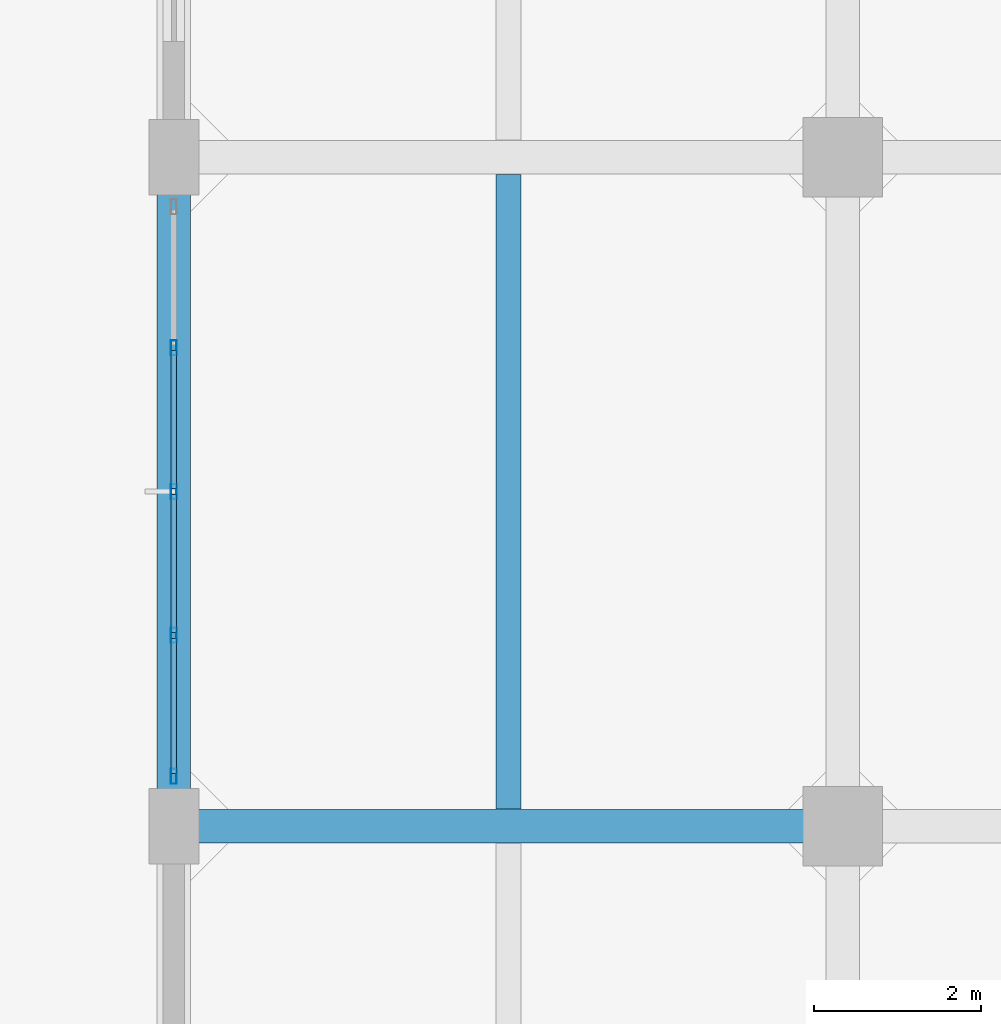
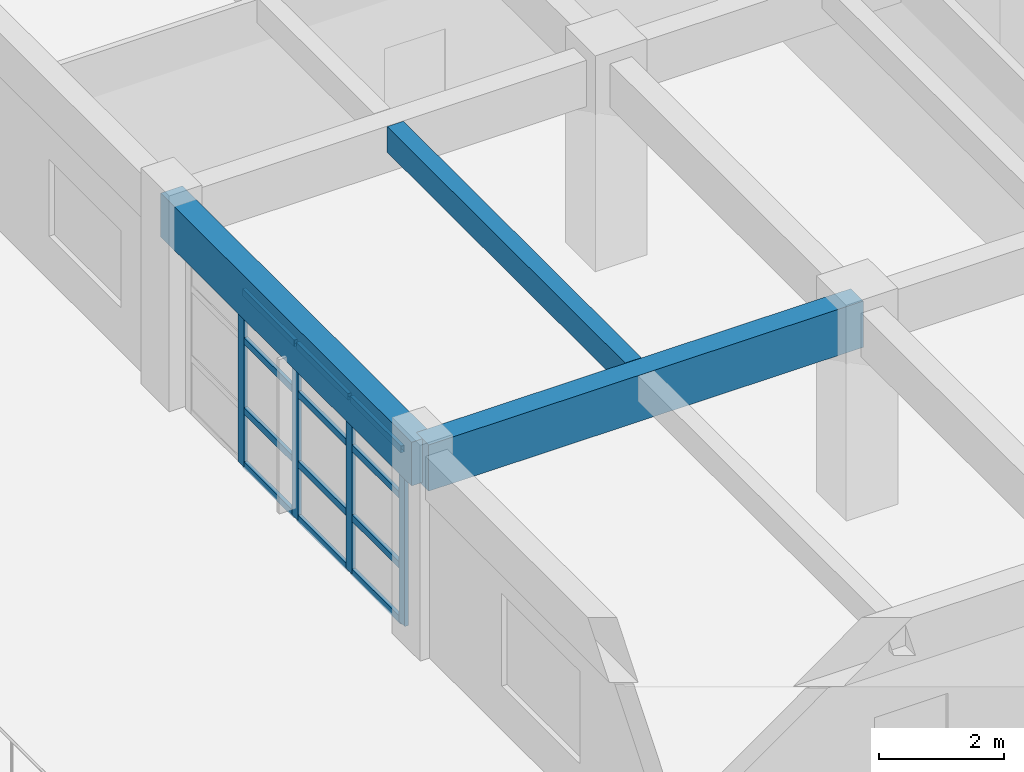
# One storey, part 4 of 35: 16 members, 3 beams, 1 element without a shape of its own.
"""IFC4 building model written with IfcOpenShell, lengths in metres."""

from ifc_helpers import new_model, si_unit, direction, frame, origin, origin_2d, place, context, subcontext, project, spatial, rectangle, hollow_rectangle, extrude, material, layer, layer_set, material_profile, profile_set, type_object, element, aggregate, save


model = new_model("IFC4")

# Units and contexts
model_context = context("Model", 3, precision=1e-05, world=origin(), true_north=direction((0.0, 1.0)))
body_context = subcontext(model_context, "Body", "Model", "MODEL_VIEW")
ifc_project = project(units=[si_unit("LENGTHUNIT", "METRE"), si_unit("AREAUNIT", "SQUARE_METRE"), si_unit("VOLUMEUNIT", "CUBIC_METRE"), si_unit("PLANEANGLEUNIT", "RADIAN"), si_unit("MASSUNIT", "GRAM", prefix="KILO")], contexts=[model_context])

# Site, building, storey
site_placement = place(None, origin())
site = spatial("IfcSite", under=ifc_project, at=site_placement, CompositionType="ELEMENT")
building_placement = place(site_placement, origin())
building = spatial("IfcBuilding", under=site, at=building_placement, Name="Canggui Botanical Conservatory", CompositionType="ELEMENT")
storey_placement = place(building_placement, frame((0.0, 0.0, 15.0)))
storey = spatial("IfcBuildingStorey", under=building, at=storey_placement, Name="L04", CompositionType="ELEMENT", Elevation=15.0)

# Beams
ifc_material_1 = material(Name="Concrete C35", Category="concrete")
ifc_material_profile_1 = material_profile(ifc_material_1, rectangle(XDim=0.300048828125, YDim=0.5, at=origin_2d()), Name="RB 300x500")
ifc_profile_set_1 = profile_set([ifc_material_profile_1], Name="Concrete C35")
beam_type_1 = type_object("IfcBeamType", Name="BM-JST02", PredefinedType="JOIST", material=ifc_profile_set_1)
beam_1_placement = place(storey_placement, frame((142.0, 42.205078125, 3.699951171875), z_axis=(0.0, 1.0, 0.0), x_axis=(-1.0, 0.0, 0.0)))
element("IfcBeam", 1, at=beam_1_placement, inside=storey, type_object=beam_type_1, Name="Secondary Floor Joist L04-1-3", PredefinedType="JOIST", context=body_context, shape_type="SweptSolid", body=[
    extrude(rectangle(XDim=0.300048828125, YDim=0.5, at=origin_2d()), origin(), (0.0, 0.0, 1.0), 7.58984375),
])
ifc_material_profile_2 = material_profile(ifc_material_1, rectangle(XDim=0.39990234375, YDim=0.89990234375, at=origin_2d()), Name="RB 400x900")
ifc_profile_set_2 = profile_set([ifc_material_profile_2], Name="Concrete C35")
beam_type_2 = type_object("IfcBeamType", Name="BM-KL07", PredefinedType="BEAM", material=ifc_profile_set_2)
beam_2_placement = place(storey_placement, frame((138.0, 42.0, 3.5), z_axis=(1.0, 0.0, 0.0), x_axis=(0.0, 1.0, 0.0)))
element("IfcBeam", 2, at=beam_2_placement, inside=storey, type_object=beam_type_2, Name="Frame Girder L04 Y42-1", PredefinedType="BEAM", context=body_context, shape_type="SweptSolid", body=[
    extrude(rectangle(XDim=0.39990234375, YDim=0.89990234375, at=origin_2d()), origin(), (0.0, 0.0, 1.0), 8.0),
])
ifc_material_profile_3 = material_profile(ifc_material_1, rectangle(XDim=0.39990234375, YDim=0.85009765625, at=origin_2d()), Name="RB 400x850")
ifc_profile_set_3 = profile_set([ifc_material_profile_3], Name="Concrete C35")
beam_type_3 = type_object("IfcBeamType", Name="BM-KL08", PredefinedType="BEAM", material=ifc_profile_set_3)
beam_3_placement = place(storey_placement, frame((138.0, 42.0, 3.52490234375), z_axis=(0.0, 1.0, 0.0), x_axis=(-1.0, 0.0, 0.0)))
element("IfcBeam", 3, at=beam_3_placement, inside=storey, type_object=beam_type_3, Name="Frame Girder L04 X138-3", PredefinedType="BEAM", context=body_context, shape_type="SweptSolid", body=[
    extrude(rectangle(XDim=0.39990234375, YDim=0.85009765625, at=origin_2d()), origin(), (0.0, 0.0, 1.0), 8.0),
])

# Curtain wall, members
ifc_material_2 = material(Name="Thermally Broken Aluminium", Category="aluminium")
ifc_layer = layer(ifc_material_2, 0.179931640625, Name="Thermally Broken Aluminium", Category="aluminium")
ifc_layer_set = layer_set([ifc_layer], Name="Thermally Broken Aluminium")
curtain_wall_type = type_object("IfcCurtainWallType", Name="CW-UNIT-A", PredefinedType="USERDEFINED", material=ifc_layer_set)
curtain_wall_placement = place(storey_placement, origin())
curtain_wall = element("IfcCurtainWall", 4, at=curtain_wall_placement, inside=storey, type_object=curtain_wall_type, Name="Facade Curtain Wall CW-TWR-L04-08", ObjectType="UNITISED CURTAIN WALL", PredefinedType="USERDEFINED")
ifc_material_profile_4 = material_profile(ifc_material_2, hollow_rectangle(XDim=0.070068359375, YDim=0.179931640625, WallThickness=0.00390625, at=origin_2d()), Name="CWM 70x180x4")
ifc_profile_set_4 = profile_set([ifc_material_profile_4], Name="Thermally Broken Aluminium")
member_type_1 = type_object("IfcMemberType", Name="CWM-01", PredefinedType="MULLION", material=ifc_profile_set_4)
member_1_placement = place(storey_placement, frame((138.0, 42.594970703125, 0.0), z_axis=(0.0, 0.0, 1.0), x_axis=(-1.0, 0.0, 0.0)))
member_1 = element("IfcMember", 5, at=member_1_placement, type_object=member_type_1, Name="CW-01 mullion 1", PredefinedType="MULLION", context=body_context, shape_type="SweptSolid", body=[
    extrude(hollow_rectangle(XDim=0.070068359375, YDim=0.179931640625, WallThickness=0.00390625, at=origin_2d()), origin(), (0.0, 0.0, 1.0), 3.39990234375),
])
member_2_placement = place(storey_placement, frame((138.0, 44.280029296875, 0.0), z_axis=(0.0, 0.0, 1.0), x_axis=(-1.0, 0.0, 0.0)))
member_2 = element("IfcMember", 6, at=member_2_placement, type_object=member_type_1, Name="CW-01 mullion 2", PredefinedType="MULLION", context=body_context, shape_type="SweptSolid", body=[
    extrude(hollow_rectangle(XDim=0.070068359375, YDim=0.179931640625, WallThickness=0.00390625, at=origin_2d()), origin(), (0.0, 0.0, 1.0), 3.39990234375),
])
member_3_placement = place(storey_placement, frame((138.0, 46.0, 0.0), z_axis=(0.0, 0.0, 1.0), x_axis=(-1.0, 0.0, 0.0)))
member_3 = element("IfcMember", 7, at=member_3_placement, type_object=member_type_1, Name="CW-01 mullion 3", PredefinedType="MULLION", context=body_context, shape_type="SweptSolid", body=[
    extrude(hollow_rectangle(XDim=0.070068359375, YDim=0.179931640625, WallThickness=0.00390625, at=origin_2d()), origin(), (0.0, 0.0, 1.0), 3.39990234375),
])
member_4_placement = place(storey_placement, frame((138.0, 47.719970703125, 0.0), z_axis=(0.0, 0.0, 1.0), x_axis=(-1.0, 0.0, 0.0)))
member_4 = element("IfcMember", 8, at=member_4_placement, type_object=member_type_1, Name="CW-01 mullion 4", PredefinedType="MULLION", context=body_context, shape_type="SweptSolid", body=[
    extrude(hollow_rectangle(XDim=0.070068359375, YDim=0.179931640625, WallThickness=0.00390625, at=origin_2d()), origin(), (0.0, 0.0, 1.0), 3.39990234375),
])
ifc_material_profile_5 = material_profile(ifc_material_2, hollow_rectangle(XDim=0.06494140625, YDim=0.1298828125, WallThickness=0.00341796875, at=origin_2d()), Name="CWT 65x130x3.5")
ifc_profile_set_5 = profile_set([ifc_material_profile_5], Name="Thermally Broken Aluminium")
member_type_2 = type_object("IfcMemberType", Name="CWT-01", PredefinedType="USERDEFINED", material=ifc_profile_set_5)
member_5_placement = place(storey_placement, frame((138.0, 42.6298828125, 0.032470703125), z_axis=(0.0, 1.0, 0.0), x_axis=(-1.0, 0.0, 0.0)))
member_5 = element("IfcMember", 9, at=member_5_placement, type_object=member_type_2, Name="CW-01 transom 1.1", ObjectType="TRANSOM", PredefinedType="USERDEFINED", context=body_context, shape_type="SweptSolid", body=[
    extrude(hollow_rectangle(XDim=0.06494140625, YDim=0.1298828125, WallThickness=0.00341796875, at=origin_2d()), origin(), (0.0, 0.0, 1.0), 1.615234375),
])
member_6_placement = place(storey_placement, frame((138.0, 42.6298828125, 1.087890625), z_axis=(0.0, 1.0, 0.0), x_axis=(-1.0, 0.0, 0.0)))
member_6 = element("IfcMember", 10, at=member_6_placement, type_object=member_type_2, Name="CW-01 transom 1.2", ObjectType="TRANSOM", PredefinedType="USERDEFINED", context=body_context, shape_type="SweptSolid", body=[
    extrude(hollow_rectangle(XDim=0.06494140625, YDim=0.1298828125, WallThickness=0.00341796875, at=origin_2d()), origin(), (0.0, 0.0, 1.0), 1.615234375),
])
member_7_placement = place(storey_placement, frame((138.0, 42.6298828125, 2.447998046875), z_axis=(0.0, 1.0, 0.0), x_axis=(-1.0, 0.0, 0.0)))
member_7 = element("IfcMember", 11, at=member_7_placement, type_object=member_type_2, Name="CW-01 transom 1.3", ObjectType="TRANSOM", PredefinedType="USERDEFINED", context=body_context, shape_type="SweptSolid", body=[
    extrude(hollow_rectangle(XDim=0.06494140625, YDim=0.1298828125, WallThickness=0.00341796875, at=origin_2d()), origin(), (0.0, 0.0, 1.0), 1.615234375),
])
member_8_placement = place(storey_placement, frame((138.0, 42.6298828125, 3.367431640625), z_axis=(0.0, 1.0, 0.0), x_axis=(-1.0, 0.0, 0.0)))
member_8 = element("IfcMember", 12, at=member_8_placement, type_object=member_type_2, Name="CW-01 transom 1.4", ObjectType="TRANSOM", PredefinedType="USERDEFINED", context=body_context, shape_type="SweptSolid", body=[
    extrude(hollow_rectangle(XDim=0.06494140625, YDim=0.1298828125, WallThickness=0.00341796875, at=origin_2d()), origin(), (0.0, 0.0, 1.0), 1.615234375),
])
member_9_placement = place(storey_placement, frame((138.0, 44.31494140625, 0.032470703125), z_axis=(0.0, 1.0, 0.0), x_axis=(-1.0, 0.0, 0.0)))
member_9 = element("IfcMember", 13, at=member_9_placement, type_object=member_type_2, Name="CW-01 transom 2.1", ObjectType="TRANSOM", PredefinedType="USERDEFINED", context=body_context, shape_type="SweptSolid", body=[
    extrude(hollow_rectangle(XDim=0.06494140625, YDim=0.1298828125, WallThickness=0.00341796875, at=origin_2d()), origin(), (0.0, 0.0, 1.0), 1.650146484375),
])
member_10_placement = place(storey_placement, frame((138.0, 44.31494140625, 1.087890625), z_axis=(0.0, 1.0, 0.0), x_axis=(-1.0, 0.0, 0.0)))
member_10 = element("IfcMember", 14, at=member_10_placement, type_object=member_type_2, Name="CW-01 transom 2.2", ObjectType="TRANSOM", PredefinedType="USERDEFINED", context=body_context, shape_type="SweptSolid", body=[
    extrude(hollow_rectangle(XDim=0.06494140625, YDim=0.1298828125, WallThickness=0.00341796875, at=origin_2d()), origin(), (0.0, 0.0, 1.0), 1.650146484375),
])
member_11_placement = place(storey_placement, frame((138.0, 44.31494140625, 2.447998046875), z_axis=(0.0, 1.0, 0.0), x_axis=(-1.0, 0.0, 0.0)))
member_11 = element("IfcMember", 15, at=member_11_placement, type_object=member_type_2, Name="CW-01 transom 2.3", ObjectType="TRANSOM", PredefinedType="USERDEFINED", context=body_context, shape_type="SweptSolid", body=[
    extrude(hollow_rectangle(XDim=0.06494140625, YDim=0.1298828125, WallThickness=0.00341796875, at=origin_2d()), origin(), (0.0, 0.0, 1.0), 1.650146484375),
])
member_12_placement = place(storey_placement, frame((138.0, 44.31494140625, 3.367431640625), z_axis=(0.0, 1.0, 0.0), x_axis=(-1.0, 0.0, 0.0)))
member_12 = element("IfcMember", 16, at=member_12_placement, type_object=member_type_2, Name="CW-01 transom 2.4", ObjectType="TRANSOM", PredefinedType="USERDEFINED", context=body_context, shape_type="SweptSolid", body=[
    extrude(hollow_rectangle(XDim=0.06494140625, YDim=0.1298828125, WallThickness=0.00341796875, at=origin_2d()), origin(), (0.0, 0.0, 1.0), 1.650146484375),
])
member_13_placement = place(storey_placement, frame((138.0, 46.034912109375, 0.032470703125), z_axis=(0.0, 1.0, 0.0), x_axis=(-1.0, 0.0, 0.0)))
member_13 = element("IfcMember", 17, at=member_13_placement, type_object=member_type_2, Name="CW-01 transom 3.1", ObjectType="TRANSOM", PredefinedType="USERDEFINED", context=body_context, shape_type="SweptSolid", body=[
    extrude(hollow_rectangle(XDim=0.06494140625, YDim=0.1298828125, WallThickness=0.00341796875, at=origin_2d()), origin(), (0.0, 0.0, 1.0), 1.650146484375),
])
member_14_placement = place(storey_placement, frame((138.0, 46.034912109375, 1.087890625), z_axis=(0.0, 1.0, 0.0), x_axis=(-1.0, 0.0, 0.0)))
member_14 = element("IfcMember", 18, at=member_14_placement, type_object=member_type_2, Name="CW-01 transom 3.2", ObjectType="TRANSOM", PredefinedType="USERDEFINED", context=body_context, shape_type="SweptSolid", body=[
    extrude(hollow_rectangle(XDim=0.06494140625, YDim=0.1298828125, WallThickness=0.00341796875, at=origin_2d()), origin(), (0.0, 0.0, 1.0), 1.650146484375),
])
member_15_placement = place(storey_placement, frame((138.0, 46.034912109375, 2.447998046875), z_axis=(0.0, 1.0, 0.0), x_axis=(-1.0, 0.0, 0.0)))
member_15 = element("IfcMember", 19, at=member_15_placement, type_object=member_type_2, Name="CW-01 transom 3.3", ObjectType="TRANSOM", PredefinedType="USERDEFINED", context=body_context, shape_type="SweptSolid", body=[
    extrude(hollow_rectangle(XDim=0.06494140625, YDim=0.1298828125, WallThickness=0.00341796875, at=origin_2d()), origin(), (0.0, 0.0, 1.0), 1.650146484375),
])
member_16_placement = place(storey_placement, frame((138.0, 46.034912109375, 3.367431640625), z_axis=(0.0, 1.0, 0.0), x_axis=(-1.0, 0.0, 0.0)))
member_16 = element("IfcMember", 20, at=member_16_placement, type_object=member_type_2, Name="CW-01 transom 3.4", ObjectType="TRANSOM", PredefinedType="USERDEFINED", context=body_context, shape_type="SweptSolid", body=[
    extrude(hollow_rectangle(XDim=0.06494140625, YDim=0.1298828125, WallThickness=0.00341796875, at=origin_2d()), origin(), (0.0, 0.0, 1.0), 1.650146484375),
])
aggregate(curtain_wall, [member_1, member_2, member_3, member_4, member_5, member_6, member_7, member_8, member_9, member_10, member_11, member_12, member_13, member_14, member_15, member_16])

save(model, "model.ifc")
